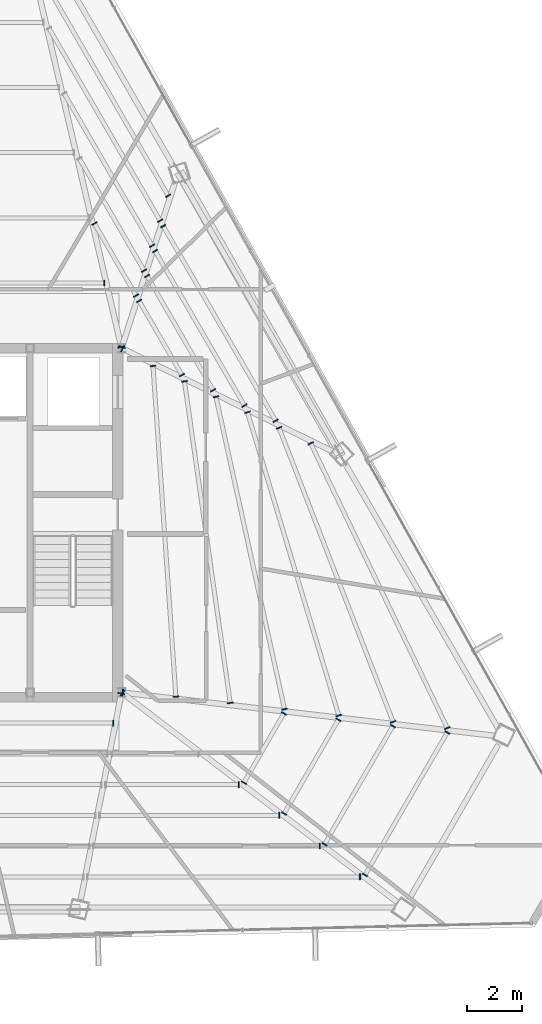
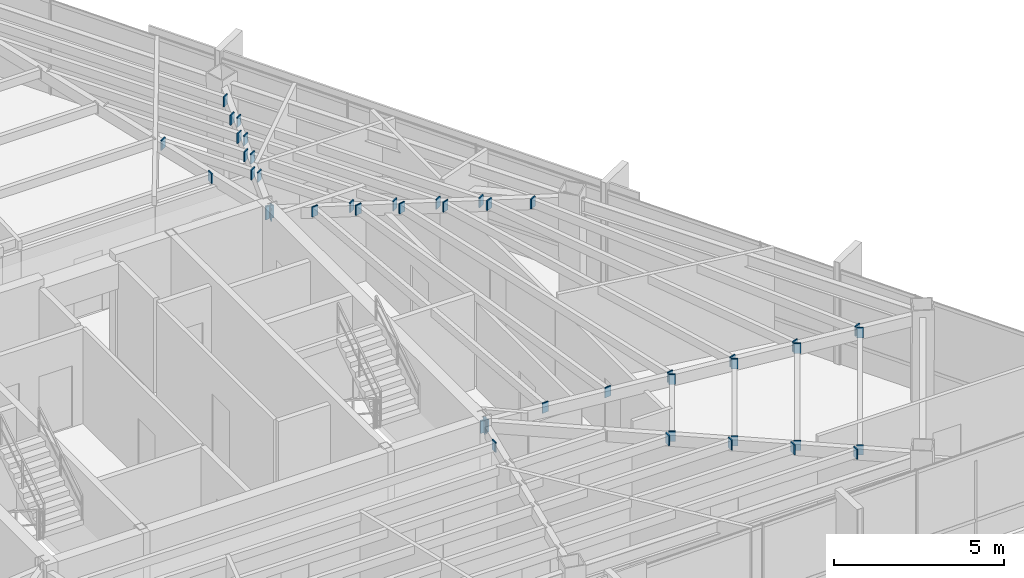
# One storey, part 38 of 45: 46 plates.
"""IFC4 building model written with IfcOpenShell, lengths in metres."""

from ifc_helpers import new_model, si_unit, direction, frame, origin, origin_2d, place, context, subcontext, project, spatial, rectangle, extrude, source, transform, mapped, material, layer, layer_set, type_object, type_shapes, element, save


model = new_model("IFC4")

# Units and contexts
model_context = context("Model", 3, precision=1e-05, world=origin(), true_north=direction((0.0, 1.0)))
body_context = subcontext(model_context, "Body", "Model", "MODEL_VIEW")
ifc_project = project(units=[si_unit("LENGTHUNIT", "METRE"), si_unit("AREAUNIT", "SQUARE_METRE"), si_unit("VOLUMEUNIT", "CUBIC_METRE"), si_unit("PLANEANGLEUNIT", "RADIAN"), si_unit("MASSUNIT", "GRAM", prefix="KILO")], contexts=[model_context])

# Site, building, storey
site_placement = place(None, origin())
site = spatial("IfcSite", under=ifc_project, at=site_placement, CompositionType="ELEMENT")
building_placement = place(site_placement, origin())
building = spatial("IfcBuilding", under=site, at=building_placement, Name="Caelisora Broadcast Tower", CompositionType="ELEMENT")
storey_placement = place(building_placement, frame((0.0, 0.0, 262.699951171875)))
storey = spatial("IfcBuildingStorey", under=building, at=storey_placement, Name="L69", CompositionType="ELEMENT", Elevation=262.699951171875)

# Plates
ifc_material = material(Name="Steel Grade 350 L15 (AS/NZS 3678)", Category="steel")
ifc_layer = layer(ifc_material, 0.0400390625, Name="Steel Grade 350 L15 (AS/NZS 3678)")
ifc_layer_set = layer_set([ifc_layer], Name="Steel Grade 350 L15 (AS/NZS 3678)")
plate_type = type_object("IfcPlateType", Name="GP04", PredefinedType="USERDEFINED", material=ifc_layer_set)
shared_shape_1 = source(origin(), body_context, "Body", "SweptSolid", [
    extrude(rectangle(XDim=0.260009765625, YDim=0.0400390625, at=origin_2d()), origin(), (0.0, 0.0, 1.0), 0.4599609375),
])
for number, where, z_axis, x_axis, name in (
    (1, (45.490966796875, 30.0390625, 2.969970703125), (0.0, 0.0, 1.0), (-0.973896791711, -0.226991275371, 0.0), "L69 gusset plate GP04 (ND-RAD-L69-01)"),
    (2, (45.4921875, 17.36083984375, 2.969970703125), (0.0, 0.0, 1.0), (0.981124283255, -0.193378232506, 0.0), "L69 gusset plate GP04 (ND-RAD-L69-08)"),
    (3, (45.53173828125, 17.375732421875, 2.969970703125), (0.0, 0.0, 1.0), (0.605432907381, 0.795896346681, 0.0), "L69 gusset plate GP04 (ND-RAD-L69-09)"),
    (4, (45.539794921875, 17.3955078125, 2.969970703125), (0.0, 0.0, 1.0), (0.115457263478, 0.993312448482, 0.0), "L69 gusset plate GP04 (ND-RAD-L69-10)"),
    (5, (45.535888671875, 29.982421875, 2.969970703125), (0.0, 0.0, 1.0), (0.439468903432, 0.898257804261, 0.0), "L69 gusset plate GP04 (ND-RAD-L69-11)"),
    (6, (45.51220703125, 30.0380859375, 2.969970703125), (0.0, 0.0, 1.0), (-0.951862260753, 0.306526078098, 0.0), "L69 gusset plate GP04 (ND-RAD-L69-12)"),
):
    element("IfcPlate", number, at=place(storey_placement, frame(where, z_axis=z_axis, x_axis=x_axis)), inside=storey, type_object=plate_type, Name=name, ObjectType="GUSSET PLATE", PredefinedType="USERDEFINED", context=body_context, shape_type="MappedRepresentation", body=[
        mapped(shared_shape_1, transform((0.0, 0.0, 0.0), scale=1.0)),
    ])
shared_shape_2 = source(origin(), body_context, "Body", "SweptSolid", [
    extrude(rectangle(XDim=0.2099609375, YDim=0.0400390625, at=origin_2d()), origin(), (0.0, 0.0, 1.0), 0.360107421875),
])
type_shapes(plate_type, [shared_shape_1, shared_shape_2])
for number, where, z_axis, x_axis, name in (
    (7, (44.8642578125, 32.384521484375, 3.06982421875), (0.0, 0.0, 1.0), (0.0, -1.0, 0.0), "L69 gusset plate GP04 (ND-SB-L69-001A)"),
    (8, (45.19970703125, 16.275634765625, 3.06982421875), (0.0, 0.0, 1.0), (0.0, 1.0, 0.0), "L69 gusset plate GP04 (ND-SB-L69-031B)"),
    (9, (49.79248046875, 14.026611328125, 3.06982421875), (0.0, 0.0, 1.0), (0.0, 1.0, 0.0), "L69 gusset plate GP04 (ND-SB-L69-038B)"),
    (10, (51.27099609375, 12.90234375, 3.06982421875), (0.0, 0.0, 1.0), (0.0, 1.0, 0.0), "L69 gusset plate GP04 (ND-SB-L69-039B)"),
    (11, (52.749267578125, 11.77783203125, 3.06982421875), (0.0, 0.0, 1.0), (0.0, 1.0, 0.0), "L69 gusset plate GP04 (ND-SB-L69-040B)"),
    (12, (54.227294921875, 10.6533203125, 3.06982421875), (0.0, 0.0, 1.0), (0.0, 1.0, 0.0), "L69 gusset plate GP04 (ND-SB-L69-041B)"),
    (13, (49.9736328125, 14.093994140625, 3.06982421875), (0.0, 0.0, 1.0), (-0.866025403784, 0.5, 0.0), "L69 gusset plate GP04 (ND-SB-L69-042A)"),
    (14, (51.438232421875, 16.630859375, 3.06982421875), (0.0, 0.0, 1.0), (-0.866025403784, 0.5, 0.0), "L69 gusset plate GP04 (ND-SB-L69-042B)"),
    (15, (51.451904296875, 12.9697265625, 3.06982421875), (0.0, 0.0, 1.0), (-0.866025403784, 0.5, 0.0), "L69 gusset plate GP04 (ND-SB-L69-043A)"),
    (16, (53.431884765625, 16.399169921875, 3.06982421875), (0.0, 0.0, 1.0), (-0.866025403784, 0.5, 0.0), "L69 gusset plate GP04 (ND-SB-L69-043B)"),
    (17, (52.930419921875, 11.84521484375, 3.06982421875), (0.0, 0.0, 1.0), (-0.866025403784, 0.5, 0.0), "L69 gusset plate GP04 (ND-SB-L69-044A)"),
    (18, (55.42578125, 16.16748046875, 3.06982421875), (0.0, 0.0, 1.0), (-0.866025403784, 0.5, 0.0), "L69 gusset plate GP04 (ND-SB-L69-044B)"),
    (19, (54.408447265625, 10.720703125, 3.06982421875), (0.0, 0.0, 1.0), (-0.866025403784, 0.5, 0.0), "L69 gusset plate GP04 (ND-SB-L69-045A)"),
    (20, (57.41943359375, 15.93603515625, 3.06982421875), (0.0, 0.0, 1.0), (-0.866025403784, 0.5, 0.0), "L69 gusset plate GP04 (ND-SB-L69-045B)"),
    (21, (47.48828125, 17.246826171875, 3.06982421875), (0.0, 0.0, 1.0), (-0.997612506361, -0.069060025714, 0.0), "L69 gusset plate GP04 (ND-SB-L69-046A)"),
    (22, (46.650146484375, 29.34814453125, 3.06982421875), (0.0, 0.0, 1.0), (-0.997612506361, -0.069060025714, 0.0), "L69 gusset plate GP04 (ND-SB-L69-046B)"),
    (23, (49.476318359375, 17.016357421875, 3.06982421875), (0.0, 0.0, 1.0), (-0.990023657717, -0.140901231938, 0.0), "L69 gusset plate GP04 (ND-SB-L69-047A)"),
    (24, (47.801513671875, 28.783935546875, 3.06982421875), (0.0, 0.0, 1.0), (-0.990023657717, -0.140901231938, 0.0), "L69 gusset plate GP04 (ND-SB-L69-047B)"),
    (25, (51.46337890625, 16.7861328125, 3.06982421875), (0.0, 0.0, 1.0), (-0.9767471756, -0.214394391152, 0.0), "L69 gusset plate GP04 (ND-SB-L69-048A)"),
    (26, (48.9541015625, 28.218994140625, 3.06982421875), (0.0, 0.0, 1.0), (-0.9767471756, -0.214394391152, 0.0), "L69 gusset plate GP04 (ND-SB-L69-048B)"),
    (27, (53.4501953125, 16.555908203125, 3.06982421875), (0.0, 0.0, 1.0), (-0.957521046483, -0.288363391474, 0.0), "L69 gusset plate GP04 (ND-SB-L69-049A)"),
    (28, (50.10791015625, 27.6533203125, 3.06982421875), (0.0, 0.0, 1.0), (-0.957521046483, -0.288363391474, 0.0), "L69 gusset plate GP04 (ND-SB-L69-049B)"),
    (29, (55.43603515625, 16.325927734375, 3.06982421875), (0.0, 0.0, 1.0), (-0.932386902409, -0.361461843375, 0.0), "L69 gusset plate GP04 (ND-SB-L69-050A)"),
    (30, (51.26416015625, 27.08642578125, 3.06982421875), (0.0, 0.0, 1.0), (-0.932386902409, -0.361461843375, 0.0), "L69 gusset plate GP04 (ND-SB-L69-050B)"),
    (31, (57.42138671875, 16.09619140625, 3.06982421875), (0.0, 0.0, 1.0), (-0.901681645086, -0.432400521409, 0.0), "L69 gusset plate GP04 (ND-SB-L69-051A)"),
    (32, (52.4228515625, 26.51806640625, 3.06982421875), (0.0, 0.0, 1.0), (-0.901681645086, -0.432400521409, 0.0), "L69 gusset plate GP04 (ND-SB-L69-051B)"),
    (33, (47.709716796875, 29.01611328125, 3.06982421875), (0.0, 0.0, 1.0), (-0.866025403784, -0.5, 0.0), "L69 gusset plate GP04 (ND-SB-L69-052A)"),
    (34, (46.143798828125, 31.72802734375, 3.06982421875), (0.0, 0.0, 1.0), (-0.866025403784, -0.5, 0.0), "L69 gusset plate GP04 (ND-SB-L69-052B)"),
    (35, (48.853515625, 28.45654296875, 3.06982421875), (0.0, 0.0, 1.0), (-0.866025403784, -0.5, 0.0), "L69 gusset plate GP04 (ND-SB-L69-053A)"),
    (36, (46.437744140625, 32.640625, 3.06982421875), (0.0, 0.0, 1.0), (-0.866025403784, -0.5, 0.0), "L69 gusset plate GP04 (ND-SB-L69-053B)"),
    (37, (49.997314453125, 27.897216796875, 3.06982421875), (0.0, 0.0, 1.0), (-0.866025403784, -0.5, 0.0), "L69 gusset plate GP04 (ND-SB-L69-054A)"),
    (38, (46.731689453125, 33.55322265625, 3.06982421875), (0.0, 0.0, 1.0), (-0.866025403784, -0.5, 0.0), "L69 gusset plate GP04 (ND-SB-L69-054B)"),
    (39, (51.14111328125, 27.33740234375, 3.06982421875), (0.0, 0.0, 1.0), (-0.866025403784, -0.5, 0.0), "L69 gusset plate GP04 (ND-SB-L69-055A)"),
    (40, (47.025634765625, 34.4658203125, 3.06982421875), (0.0, 0.0, 1.0), (-0.866025403784, -0.5, 0.0), "L69 gusset plate GP04 (ND-SB-L69-055B)"),
    (41, (46.031982421875, 31.922119140625, 3.06982421875), (0.0, 0.0, 1.0), (-0.866025403784, -0.5, 0.0), "L69 gusset plate GP04 (ND-SB-L69-056A)"),
    (42, (44.50830078125, 34.561279296875, 3.06982421875), (0.0, 0.0, 1.0), (-0.866025403784, -0.5, 0.0), "L69 gusset plate GP04 (ND-SB-L69-056B)"),
    (43, (46.325927734375, 32.83447265625, 3.06982421875), (0.0, 0.0, 1.0), (-0.866025403784, -0.5, 0.0), "L69 gusset plate GP04 (ND-SB-L69-057A)"),
    (44, (46.619873046875, 33.7470703125, 3.06982421875), (0.0, 0.0, 1.0), (-0.866025403784, -0.5, 0.0), "L69 gusset plate GP04 (ND-SB-L69-058A)"),
    (45, (46.913818359375, 34.65966796875, 3.06982421875), (0.0, 0.0, 1.0), (-0.866025403784, -0.5, 0.0), "L69 gusset plate GP04 (ND-SB-L69-059A)"),
    (46, (47.207763671875, 35.572021484375, 3.06982421875), (0.0, 0.0, 1.0), (-0.866025403784, -0.5, 0.0), "L69 gusset plate GP04 (ND-SB-L69-060A)"),
):
    element("IfcPlate", number, at=place(storey_placement, frame(where, z_axis=z_axis, x_axis=x_axis)), inside=storey, type_object=plate_type, Name=name, ObjectType="GUSSET PLATE", PredefinedType="USERDEFINED", context=body_context, shape_type="MappedRepresentation", body=[
        mapped(shared_shape_2, transform((0.0, 0.0, 0.0), scale=1.0)),
    ])

save(model, "model.ifc")
